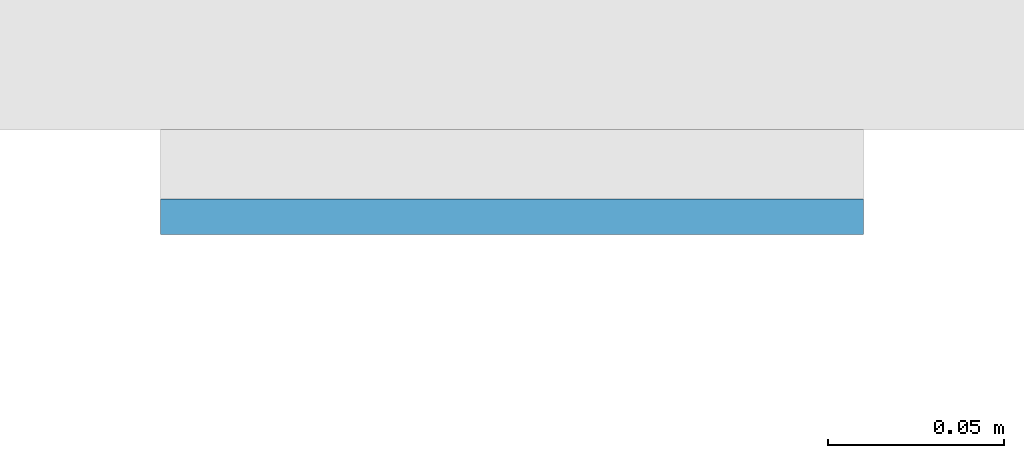
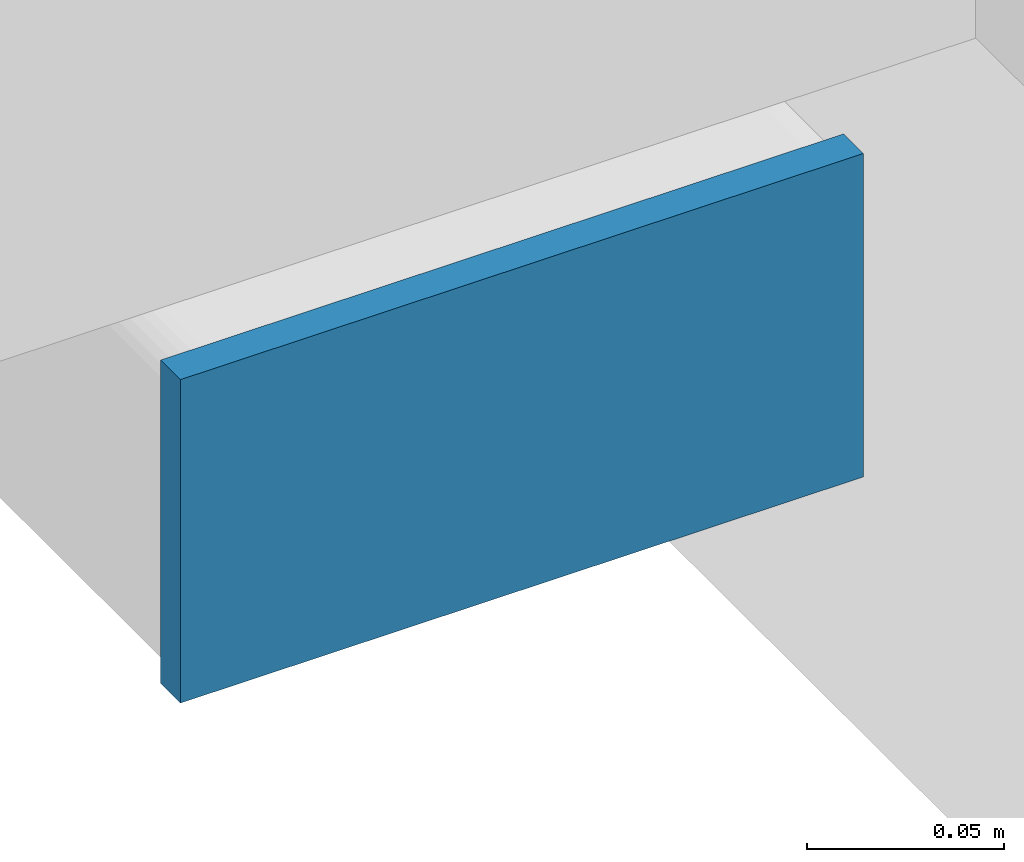
# One storey, part 8 of 20: 1 plate.
"""IFC4 building model written with IfcOpenShell, lengths in metres."""

from ifc_helpers import new_model, si_unit, direction, frame, origin, origin_2d, place, context, subcontext, project, spatial, rectangle, extrude, material, layer, layer_set, type_object, element, save


model = new_model("IFC4")

# Units and contexts
model_context = context("Model", 3, precision=1e-05, world=origin(), true_north=direction((0.0, 1.0)))
body_context = subcontext(model_context, "Body", "Model", "MODEL_VIEW")
ifc_project = project(units=[si_unit("LENGTHUNIT", "METRE"), si_unit("AREAUNIT", "SQUARE_METRE"), si_unit("VOLUMEUNIT", "CUBIC_METRE"), si_unit("PLANEANGLEUNIT", "RADIAN"), si_unit("MASSUNIT", "GRAM", prefix="KILO")], contexts=[model_context])

# Site, building, storey
site_placement = place(None, origin())
site = spatial("IfcSite", under=ifc_project, at=site_placement, CompositionType="ELEMENT")
building_placement = place(site_placement, origin())
building = spatial("IfcBuilding", under=site, at=building_placement, Name="Cleftline Residences", CompositionType="ELEMENT")
storey_placement = place(building_placement, frame((0.0, 0.0, 110.60009765625)))
storey = spatial("IfcBuildingStorey", under=building, at=storey_placement, Name="L28", CompositionType="ELEMENT", Elevation=110.60009765625)

# Plate
ifc_material = material(Name="Steel S355, hot-dip galvanised", Category="steel")
ifc_layer = layer(ifc_material, 0.010009765625)
ifc_layer_set = layer_set([ifc_layer], Name="BAGUETTE CARRIER END PLATE 200X100X10")
plate_type = type_object("IfcPlateType", Name="BAGUETTE CARRIER END PLATE 200X100X10", PredefinedType="USERDEFINED", material=ifc_layer_set)
plate_placement = place(storey_placement, frame((-0.85009765625, 3.695068359375, -0.10009765625), z_axis=(0.0, 0.0, 1.0), x_axis=(-1.0, 0.0, 0.0)))
element("IfcPlate", 1, at=plate_placement, inside=storey, type_object=plate_type, Name="Baguette carrier end plate", ObjectType="BAGUETTE CARRIER END PLATE", PredefinedType="USERDEFINED", context=body_context, shape_type="SweptSolid", body=[
    extrude(rectangle(XDim=0.199951171875, YDim=0.010009765625, at=origin_2d()), origin(), (0.0, 0.0, 1.0), 0.10009765625),
])

save(model, "model.ifc")
